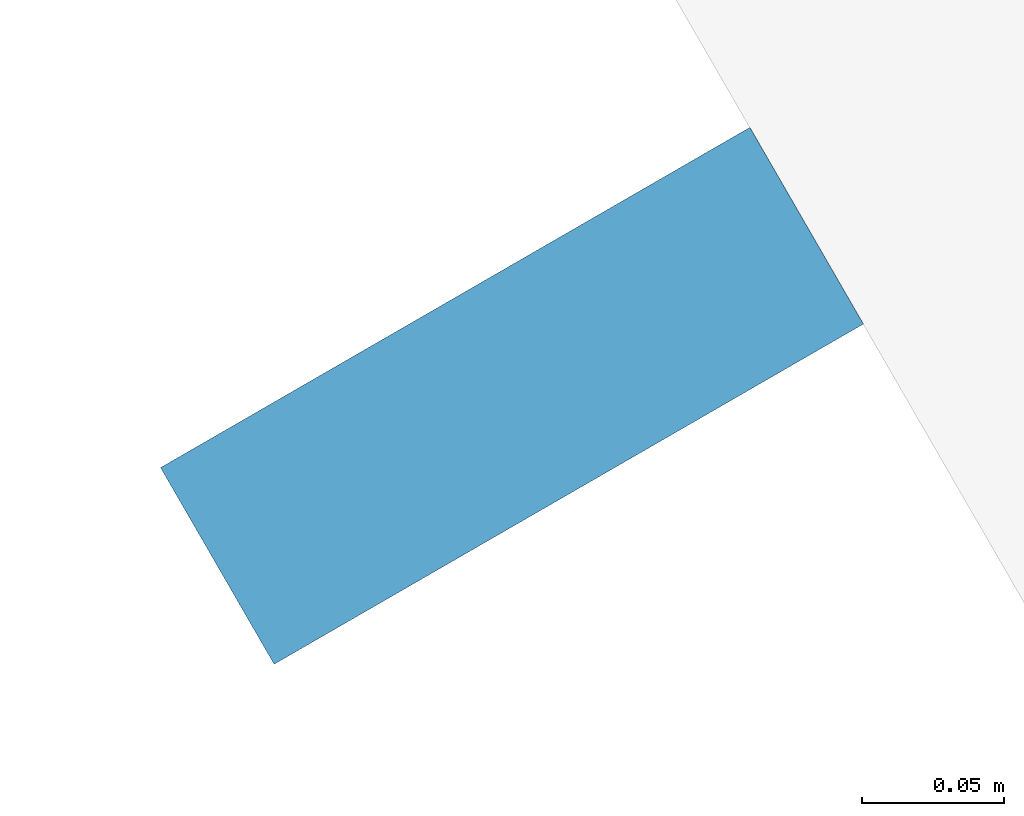
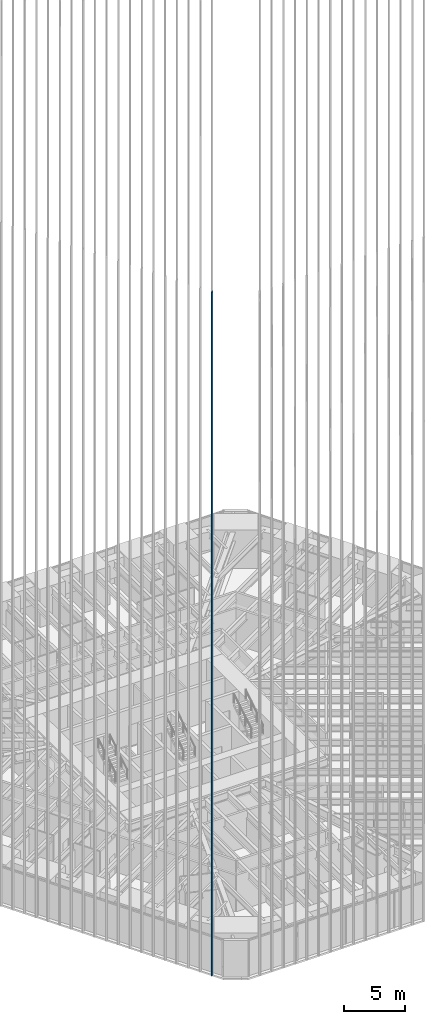
# One storey, part 15 of 256: 1 member, 1 element without a shape of its own.
"""IFC4 building model written with IfcOpenShell, lengths in metres."""

from ifc_helpers import new_model, si_unit, direction, frame, origin, origin_2d, place, context, subcontext, project, spatial, rectangle, extrude, material, material_profile, profile_set, type_object, element, aggregate, save


model = new_model("IFC4")

# Units and contexts
model_context = context("Model", 3, precision=1e-05, world=origin(), true_north=direction((0.0, 1.0)))
body_context = subcontext(model_context, "Body", "Model", "MODEL_VIEW")
ifc_project = project(units=[si_unit("LENGTHUNIT", "METRE"), si_unit("AREAUNIT", "SQUARE_METRE"), si_unit("VOLUMEUNIT", "CUBIC_METRE"), si_unit("PLANEANGLEUNIT", "RADIAN"), si_unit("MASSUNIT", "GRAM", prefix="KILO")], contexts=[model_context])

# Site, building, storey
site_placement = place(None, origin())
site = spatial("IfcSite", under=ifc_project, at=site_placement, CompositionType="ELEMENT")
building_placement = place(site_placement, origin())
building = spatial("IfcBuilding", under=site, at=building_placement, Name="Sandreach Pilgrim Tower", CompositionType="ELEMENT")
storey_placement = place(building_placement, frame((0.0, 0.0, 23.0)))
storey = spatial("IfcBuildingStorey", under=building, at=storey_placement, Name="L04", CompositionType="ELEMENT", Elevation=23.0)

# Curtain wall, member
ifc_material_1 = material(Name="Aluminium framed curtain wall", Category="aluminium")
curtain_wall_type = type_object("IfcCurtainWallType", Name="Hostel tower curtain wall", PredefinedType="NOTDEFINED", material=ifc_material_1)
curtain_wall_placement = place(storey_placement, origin())
curtain_wall = element("IfcCurtainWall", 1, at=curtain_wall_placement, inside=storey, type_object=curtain_wall_type, Name="CW-1 L04 SW", PredefinedType="NOTDEFINED")
ifc_material_2 = material(Name="Extruded terracotta on aluminium core", Category="masonry")
ifc_material_profile = material_profile(ifc_material_2, rectangle(XDim=0.080078125, YDim=0.239990234375, at=origin_2d()), Name="TBW 80X240")
ifc_profile_set = profile_set([ifc_material_profile], Name="Extruded terracotta on aluminium core")
member_type = type_object("IfcMemberType", Name="Terracotta baguette west", PredefinedType="USERDEFINED", material=ifc_profile_set)
member_placement = place(storey_placement, frame((-11.69970703125, -28.47265625, 0.0), z_axis=(0.0, 0.0, 1.0), x_axis=(-0.5, 0.866025403784, 0.0)))
member = element("IfcMember", 2, at=member_placement, type_object=member_type, Name="Baguette Z1 SW01", ObjectType="BAGUETTE", PredefinedType="USERDEFINED", context=body_context, shape_type="SweptSolid", body=[
    extrude(rectangle(XDim=0.080078125, YDim=0.239990234375, at=origin_2d()), origin(), (0.0, 0.0, 1.0), 68.239990234375),
])
aggregate(curtain_wall, [member])

save(model, "model.ifc")
